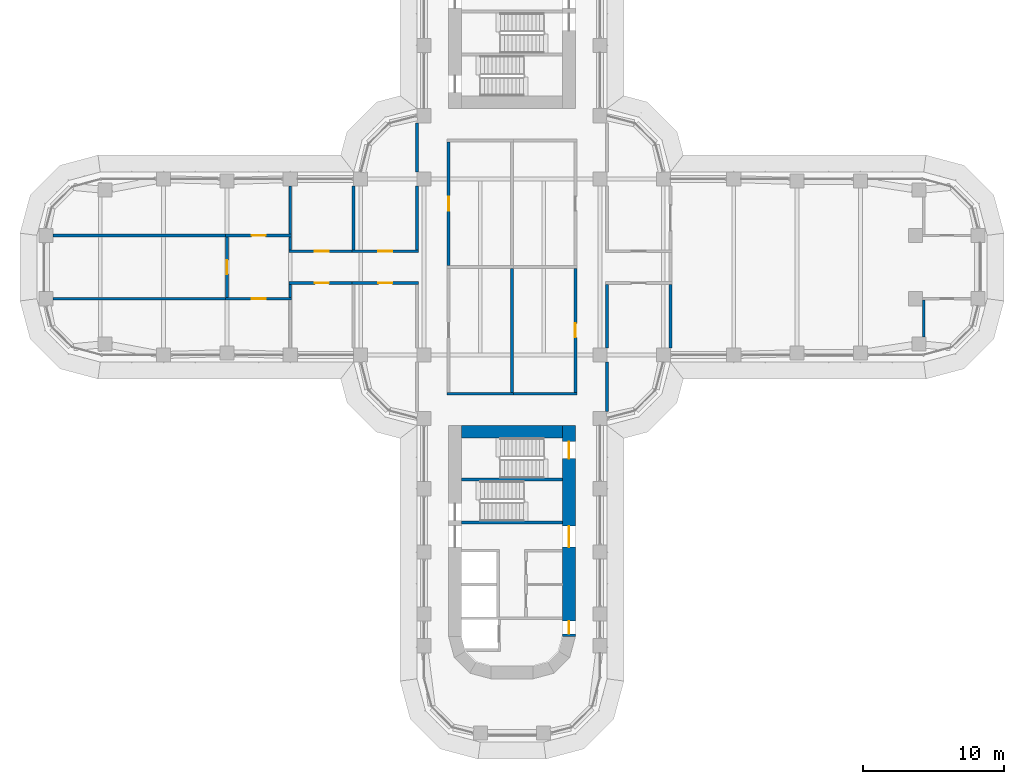
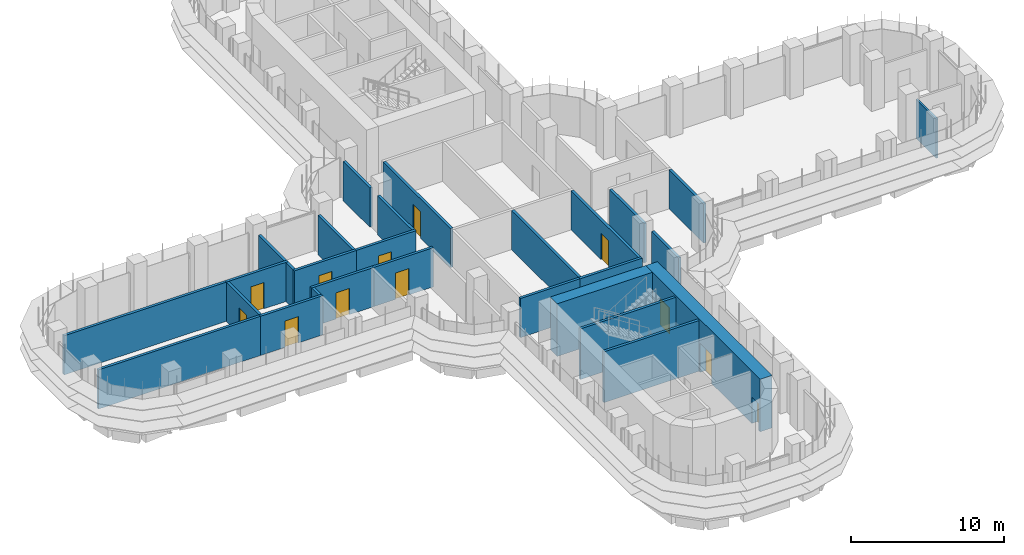
# One storey, part 17 of 23: 28 walls, 12 doors, 12 openings.
"""IFC4 building model written with IfcOpenShell, lengths in metres."""

from ifc_helpers import new_model, si_unit, direction, frame, frame_2d, origin, place, context, subcontext, project, spatial, rectangle, extrude, material, layer, layer_set, type_object, element, fill, save


model = new_model("IFC4")

# Units and contexts
model_context = context("Model", 3, precision=1e-05, world=origin(), true_north=direction((0.0, 1.0)))
body_context = subcontext(model_context, "Body", "Model", "MODEL_VIEW")
ifc_project = project(units=[si_unit("LENGTHUNIT", "METRE"), si_unit("AREAUNIT", "SQUARE_METRE"), si_unit("VOLUMEUNIT", "CUBIC_METRE"), si_unit("PLANEANGLEUNIT", "RADIAN"), si_unit("MASSUNIT", "GRAM", prefix="KILO")], contexts=[model_context])

# Site, building, storey
site_placement = place(None, origin())
site = spatial("IfcSite", under=ifc_project, at=site_placement, CompositionType="ELEMENT")
building_placement = place(site_placement, origin())
building = spatial("IfcBuilding", under=site, at=building_placement, Name="Zarbagh Exchange Tower", CompositionType="ELEMENT")
storey_placement = place(building_placement, frame((0.0, 0.0, 56.39990234375)))
storey = spatial("IfcBuildingStorey", under=building, at=storey_placement, Name="L12", CompositionType="ELEMENT", Elevation=56.39990234375)

# Wall
ifc_material_1 = material(Name="Plasterboard partition")
ifc_layer_1 = layer(ifc_material_1, 0.14990234375)
ifc_layer_set_1 = layer_set([ifc_layer_1], Name="PARTITION 150")
wall_type_1 = type_object("IfcWallType", Name="PARTITION 150", PredefinedType="PARTITIONING", material=ifc_layer_set_1)
wall_1_placement = place(storey_placement, frame((29.25, -4.97509765625, 0.0), z_axis=(0.0, 0.0, 1.0), x_axis=(0.0, 1.0, 0.0)))
element("IfcWall", 1, at=wall_1_placement, inside=storey, type_object=wall_type_1, Name="Partition W-429", PredefinedType="PARTITIONING", context=body_context, shape_type="SweptSolid", body=[
    extrude(rectangle(XDim=2.650146484375, YDim=0.14990234375, at=frame_2d((1.3251953125, 0.0))), origin(), (0.0, 0.0, 1.0), 3.130615234375),
])

# Wall, opening, door
ifc_material_2 = material(Name="Fire-rated plasterboard partition")
ifc_layer_2 = layer(ifc_material_2, 0.199951171875)
ifc_layer_set_2 = layer_set([ifc_layer_2], Name="RATED PARTITION 200")
wall_type_2 = type_object("IfcWallType", Name="RATED PARTITION 200", PredefinedType="PARTITIONING", material=ifc_layer_set_2)
wall_2_placement = place(storey_placement, frame((-4.5, 8.89990234375, 0.0), z_axis=(0.0, 0.0, 1.0), x_axis=(0.0, -1.0, 0.0)))
wall_2 = element("IfcWall", 2, at=wall_2_placement, inside=storey, type_object=wall_type_2, Name="Partition W-401", PredefinedType="PARTITIONING", context=body_context, shape_type="SweptSolid", body=[
    extrude(rectangle(XDim=8.7998046875, YDim=0.199951171875, at=frame_2d((4.39990234375, 0.0))), origin(), (0.0, 0.0, 1.0), 3.130615234375),
])
opening_1_placement = place(wall_2_placement, frame((3.89990234375, 0.0, 0.0)))
opening_1 = element("IfcOpeningElement", 3, at=opening_1_placement, cuts=wall_2, Name="Opening D-402", PredefinedType="OPENING", context=body_context, shape_type="SweptSolid", body=[
    extrude(rectangle(XDim=1.0, YDim=2.10009765625, at=frame_2d((0.5, 1.050048828125))), frame((0.0, 0.10986328125, 0.0), z_axis=(0.0, -1.0, 0.0), x_axis=(1.0, 0.0, 0.0)), (0.0, 0.0, 1.0), 0.219970703125),
])
ifc_material_3 = material(Name="Steel door set", Category="steel")
door_type_1 = type_object("IfcDoorType", Name="FIRE DOOR 1000 X 2100 FD30S", OperationType="NOTDEFINED", PredefinedType="DOOR", material=ifc_material_3)
door_1_placement = place(opening_1_placement, origin())
door_1 = element("IfcDoor", 4, at=door_1_placement, inside=storey, type_object=door_type_1, Name="Door D-402", OperationType="SINGLE_SWING_RIGHT", OverallHeight=2.10009765625, OverallWidth=1.0, PredefinedType="DOOR", context=body_context, shape_type="SweptSolid", body=[
    extrude(rectangle(XDim=1.0, YDim=2.10009765625, at=frame_2d((0.5, 1.050048828125))), frame((0.0, 0.02490234375, 0.0), z_axis=(0.0, -1.0, 0.0), x_axis=(1.0, 0.0, 0.0)), (0.0, 0.0, 1.0), 0.050048828125),
])
fill(opening_1, door_1)

# Walls
wall_3_placement = place(storey_placement, frame((-6.75, 1.22509765625, 0.0), z_axis=(0.0, 0.0, 1.0), x_axis=(0.0, 1.0, 0.0)))
element("IfcWall", 5, at=wall_3_placement, inside=storey, type_object=wall_type_2, Name="Partition W-403", PredefinedType="PARTITIONING", context=body_context, shape_type="SweptSolid", body=[
    extrude(rectangle(XDim=4.52490234375, YDim=0.199951171875, at=frame_2d((2.262451171875, 0.0))), origin(), (0.0, 0.0, 1.0), 3.130615234375),
])
wall_4_placement = place(storey_placement, frame((-6.75, 6.75, 0.0), z_axis=(0.0, 0.0, 1.0), x_axis=(0.0, 1.0, 0.0)))
element("IfcWall", 6, at=wall_4_placement, inside=storey, type_object=wall_type_2, Name="Partition W-404", PredefinedType="PARTITIONING", context=body_context, shape_type="SweptSolid", body=[
    extrude(rectangle(XDim=3.5, YDim=0.199951171875, at=frame_2d((1.75, 0.0))), origin(), (0.0, 0.0, 1.0), 3.130615234375),
])

# Wall, opening, door
wall_5_placement = place(storey_placement, frame((4.5, -8.89990234375, 0.0), z_axis=(0.0, 0.0, 1.0), x_axis=(0.0, 1.0, 0.0)))
wall_5 = element("IfcWall", 7, at=wall_5_placement, inside=storey, type_object=wall_type_2, Name="Partition W-408", PredefinedType="PARTITIONING", context=body_context, shape_type="SweptSolid", body=[
    extrude(rectangle(XDim=8.7998046875, YDim=0.199951171875, at=frame_2d((4.39990234375, 0.0))), origin(), (0.0, 0.0, 1.0), 3.130615234375),
])
opening_2_placement = place(wall_5_placement, frame((3.89990234375, 0.0, 0.0)))
opening_2 = element("IfcOpeningElement", 8, at=opening_2_placement, cuts=wall_5, Name="Opening D-403", PredefinedType="OPENING", context=body_context, shape_type="SweptSolid", body=[
    extrude(rectangle(XDim=1.0, YDim=2.10009765625, at=frame_2d((0.5, 1.050048828125))), frame((0.0, 0.10986328125, 0.0), z_axis=(0.0, -1.0, 0.0), x_axis=(1.0, 0.0, 0.0)), (0.0, 0.0, 1.0), 0.219970703125),
])
door_2_placement = place(opening_2_placement, origin())
door_2 = element("IfcDoor", 9, at=door_2_placement, inside=storey, type_object=door_type_1, Name="Door D-403", OperationType="SINGLE_SWING_RIGHT", OverallHeight=2.10009765625, OverallWidth=1.0, PredefinedType="DOOR", context=body_context, shape_type="SweptSolid", body=[
    extrude(rectangle(XDim=1.0, YDim=2.10009765625, at=frame_2d((0.5, 1.050048828125))), frame((0.0, 0.02490234375, 0.0), z_axis=(0.0, -1.0, 0.0), x_axis=(1.0, 0.0, 0.0)), (0.0, 0.0, 1.0), 0.050048828125),
])
fill(opening_2, door_2)

# Walls
wall_6_placement = place(storey_placement, frame((6.75, -10.25, 0.0), z_axis=(0.0, 0.0, 1.0), x_axis=(0.0, 1.0, 0.0)))
element("IfcWall", 10, at=wall_6_placement, inside=storey, type_object=wall_type_2, Name="Partition W-411", PredefinedType="PARTITIONING", context=body_context, shape_type="SweptSolid", body=[
    extrude(rectangle(XDim=3.5, YDim=0.199951171875, at=frame_2d((1.75, 0.0))), origin(), (0.0, 0.0, 1.0), 3.130615234375),
])
wall_7_placement = place(storey_placement, frame((6.75, -5.75, 0.0), z_axis=(0.0, 0.0, 1.0), x_axis=(0.0, 1.0, 0.0)))
element("IfcWall", 11, at=wall_7_placement, inside=storey, type_object=wall_type_2, Name="Partition W-412", PredefinedType="PARTITIONING", context=body_context, shape_type="SweptSolid", body=[
    extrude(rectangle(XDim=4.52490234375, YDim=0.199951171875, at=frame_2d((2.262451171875, 0.0))), origin(), (0.0, 0.0, 1.0), 3.130615234375),
])
for number, where, z_axis, x_axis, name in (
    (12, (-4.60009765625, -9.0, 0.0), (0.0, 0.0, 1.0), (1.0, 0.0, 0.0), "Partition W-415"),
    (13, (-0.10009765625, -9.0, 0.0), (0.0, 0.0, 1.0), (1.0, 0.0, 0.0), "Partition W-416"),
):
    element("IfcWall", number, at=place(storey_placement, frame(where, z_axis=z_axis, x_axis=x_axis)), inside=storey, type_object=wall_type_2, Name=name, PredefinedType="PARTITIONING", context=body_context, shape_type="SweptSolid", body=[
        extrude(rectangle(XDim=4.7001953125, YDim=0.199951171875, at=frame_2d((2.35009765625, 0.0))), origin(), (0.0, 0.0, 1.0), 3.130615234375),
    ])
wall_8_placement = place(storey_placement, frame((0.0, -8.89990234375, 0.0), z_axis=(0.0, 0.0, 1.0), x_axis=(0.0, 1.0, 0.0)))
element("IfcWall", 14, at=wall_8_placement, inside=storey, type_object=wall_type_2, Name="Partition W-420", PredefinedType="PARTITIONING", context=body_context, shape_type="SweptSolid", body=[
    extrude(rectangle(XDim=8.7998046875, YDim=0.199951171875, at=frame_2d((4.39990234375, 0.0))), origin(), (0.0, 0.0, 1.0), 3.130615234375),
])
wall_9_placement = place(storey_placement, frame((11.25, -5.75, 0.0), z_axis=(0.0, 0.0, 1.0), x_axis=(0.0, 1.0, 0.0)))
element("IfcWall", 15, at=wall_9_placement, inside=storey, type_object=wall_type_2, Name="Partition W-425", PredefinedType="PARTITIONING", context=body_context, shape_type="SweptSolid", body=[
    extrude(rectangle(XDim=4.52490234375, YDim=0.199951171875, at=frame_2d((2.262451171875, 0.0))), origin(), (0.0, 0.0, 1.0), 3.130615234375),
])

# Wall, opening, door
wall_10_placement = place(storey_placement, frame((-11.35009765625, 1.125, 0.0), z_axis=(0.0, 0.0, 1.0), x_axis=(1.0, 0.0, 0.0)))
wall_10 = element("IfcWall", 16, at=wall_10_placement, inside=storey, type_object=wall_type_2, Name="Partition W-430", PredefinedType="PARTITIONING", context=body_context, shape_type="SweptSolid", body=[
    extrude(rectangle(XDim=4.7001953125, YDim=0.199951171875, at=frame_2d((2.35009765625, 0.0))), origin(), (0.0, 0.0, 1.0), 3.130615234375),
])
opening_3_placement = place(wall_10_placement, frame((1.85009765625, 0.0, 0.0)))
opening_3 = element("IfcOpeningElement", 17, at=opening_3_placement, cuts=wall_10, Name="Opening D-412", PredefinedType="OPENING", context=body_context, shape_type="SweptSolid", body=[
    extrude(rectangle(XDim=1.0, YDim=2.10009765625, at=frame_2d((0.5, 1.050048828125))), frame((0.0, 0.10986328125, 0.0), z_axis=(0.0, -1.0, 0.0), x_axis=(1.0, 0.0, 0.0)), (0.0, 0.0, 1.0), 0.219970703125),
])
door_3_placement = place(opening_3_placement, origin())
door_3 = element("IfcDoor", 18, at=door_3_placement, inside=storey, type_object=door_type_1, Name="Door D-412", OperationType="SINGLE_SWING_RIGHT", OverallHeight=2.10009765625, OverallWidth=1.0, PredefinedType="DOOR", context=body_context, shape_type="SweptSolid", body=[
    extrude(rectangle(XDim=1.0, YDim=2.10009765625, at=frame_2d((0.5, 1.050048828125))), frame((0.0, 0.02490234375, 0.0), z_axis=(0.0, -1.0, 0.0), x_axis=(1.0, 0.0, 0.0)), (0.0, 0.0, 1.0), 0.050048828125),
])
fill(opening_3, door_3)

wall_11_placement = place(storey_placement, frame((-6.64990234375, -1.125, 0.0), z_axis=(0.0, 0.0, 1.0), x_axis=(-1.0, 0.0, 0.0)))
wall_11 = element("IfcWall", 19, at=wall_11_placement, inside=storey, type_object=wall_type_2, Name="Partition W-431", PredefinedType="PARTITIONING", context=body_context, shape_type="SweptSolid", body=[
    extrude(rectangle(XDim=4.7001953125, YDim=0.199951171875, at=frame_2d((2.35009765625, 0.0))), origin(), (0.0, 0.0, 1.0), 3.130615234375),
])
opening_4_placement = place(wall_11_placement, frame((1.85009765625, 0.0, 0.0)))
opening_4 = element("IfcOpeningElement", 20, at=opening_4_placement, cuts=wall_11, Name="Opening D-415", PredefinedType="OPENING", context=body_context, shape_type="SweptSolid", body=[
    extrude(rectangle(XDim=1.0, YDim=2.10009765625, at=frame_2d((0.5, 1.050048828125))), frame((0.0, 0.10986328125, 0.0), z_axis=(0.0, -1.0, 0.0), x_axis=(1.0, 0.0, 0.0)), (0.0, 0.0, 1.0), 0.219970703125),
])
door_4_placement = place(opening_4_placement, origin())
door_4 = element("IfcDoor", 21, at=door_4_placement, inside=storey, type_object=door_type_1, Name="Door D-415", OperationType="SINGLE_SWING_RIGHT", OverallHeight=2.10009765625, OverallWidth=1.0, PredefinedType="DOOR", context=body_context, shape_type="SweptSolid", body=[
    extrude(rectangle(XDim=1.0, YDim=2.10009765625, at=frame_2d((0.5, 1.050048828125))), frame((0.0, 0.02490234375, 0.0), z_axis=(0.0, -1.0, 0.0), x_axis=(1.0, 0.0, 0.0)), (0.0, 0.0, 1.0), 0.050048828125),
])
fill(opening_4, door_4)

wall_12_placement = place(storey_placement, frame((-15.85009765625, 1.125, 0.0), z_axis=(0.0, 0.0, 1.0), x_axis=(1.0, 0.0, 0.0)))
wall_12 = element("IfcWall", 22, at=wall_12_placement, inside=storey, type_object=wall_type_2, Name="Partition W-432", PredefinedType="PARTITIONING", context=body_context, shape_type="SweptSolid", body=[
    extrude(rectangle(XDim=4.7001953125, YDim=0.199951171875, at=frame_2d((2.35009765625, 0.0))), origin(), (0.0, 0.0, 1.0), 3.130615234375),
])
opening_5_placement = place(wall_12_placement, frame((1.85009765625, 0.0, 0.0)))
opening_5 = element("IfcOpeningElement", 23, at=opening_5_placement, cuts=wall_12, Name="Opening D-413", PredefinedType="OPENING", context=body_context, shape_type="SweptSolid", body=[
    extrude(rectangle(XDim=1.0, YDim=2.10009765625, at=frame_2d((0.5, 1.050048828125))), frame((0.0, 0.10986328125, 0.0), z_axis=(0.0, -1.0, 0.0), x_axis=(1.0, 0.0, 0.0)), (0.0, 0.0, 1.0), 0.219970703125),
])
door_5_placement = place(opening_5_placement, origin())
door_5 = element("IfcDoor", 24, at=door_5_placement, inside=storey, type_object=door_type_1, Name="Door D-413", OperationType="SINGLE_SWING_RIGHT", OverallHeight=2.10009765625, OverallWidth=1.0, PredefinedType="DOOR", context=body_context, shape_type="SweptSolid", body=[
    extrude(rectangle(XDim=1.0, YDim=2.10009765625, at=frame_2d((0.5, 1.050048828125))), frame((0.0, 0.02490234375, 0.0), z_axis=(0.0, -1.0, 0.0), x_axis=(1.0, 0.0, 0.0)), (0.0, 0.0, 1.0), 0.050048828125),
])
fill(opening_5, door_5)

wall_13_placement = place(storey_placement, frame((-11.14990234375, -1.125, 0.0), z_axis=(0.0, 0.0, 1.0), x_axis=(-1.0, 0.0, 0.0)))
wall_13 = element("IfcWall", 25, at=wall_13_placement, inside=storey, type_object=wall_type_2, Name="Partition W-433", PredefinedType="PARTITIONING", context=body_context, shape_type="SweptSolid", body=[
    extrude(rectangle(XDim=4.7001953125, YDim=0.199951171875, at=frame_2d((2.35009765625, 0.0))), origin(), (0.0, 0.0, 1.0), 3.130615234375),
])
opening_6_placement = place(wall_13_placement, frame((1.85009765625, 0.0, 0.0)))
opening_6 = element("IfcOpeningElement", 26, at=opening_6_placement, cuts=wall_13, Name="Opening D-416", PredefinedType="OPENING", context=body_context, shape_type="SweptSolid", body=[
    extrude(rectangle(XDim=1.0, YDim=2.10009765625, at=frame_2d((0.5, 1.050048828125))), frame((0.0, 0.10986328125, 0.0), z_axis=(0.0, -1.0, 0.0), x_axis=(1.0, 0.0, 0.0)), (0.0, 0.0, 1.0), 0.219970703125),
])
door_6_placement = place(opening_6_placement, origin())
door_6 = element("IfcDoor", 27, at=door_6_placement, inside=storey, type_object=door_type_1, Name="Door D-416", OperationType="SINGLE_SWING_RIGHT", OverallHeight=2.10009765625, OverallWidth=1.0, PredefinedType="DOOR", context=body_context, shape_type="SweptSolid", body=[
    extrude(rectangle(XDim=1.0, YDim=2.10009765625, at=frame_2d((0.5, 1.050048828125))), frame((0.0, 0.02490234375, 0.0), z_axis=(0.0, -1.0, 0.0), x_axis=(1.0, 0.0, 0.0)), (0.0, 0.0, 1.0), 0.050048828125),
])
fill(opening_6, door_6)

# Walls
wall_14_placement = place(storey_placement, frame((-11.25, 1.22509765625, 0.0), z_axis=(0.0, 0.0, 1.0), x_axis=(0.0, 1.0, 0.0)))
element("IfcWall", 28, at=wall_14_placement, inside=storey, type_object=wall_type_2, Name="Partition W-434", PredefinedType="PARTITIONING", context=body_context, shape_type="SweptSolid", body=[
    extrude(rectangle(XDim=4.52490234375, YDim=0.199951171875, at=frame_2d((2.262451171875, 0.0))), origin(), (0.0, 0.0, 1.0), 3.130615234375),
])
wall_15_placement = place(storey_placement, frame((-15.75, 1.22509765625, 0.0), z_axis=(0.0, 0.0, 1.0), x_axis=(0.0, 1.0, 0.0)))
element("IfcWall", 29, at=wall_15_placement, inside=storey, type_object=wall_type_2, Name="Partition W-436", PredefinedType="PARTITIONING", context=body_context, shape_type="SweptSolid", body=[
    extrude(rectangle(XDim=0.9248046875, YDim=0.199951171875, at=frame_2d((0.46240234375, 0.0))), origin(), (0.0, 0.0, 1.0), 3.130615234375),
])
wall_16_placement = place(storey_placement, frame((-15.75, 2.35009765625, 0.0), z_axis=(0.0, 0.0, 1.0), x_axis=(0.0, 1.0, 0.0)))
element("IfcWall", 30, at=wall_16_placement, inside=storey, type_object=wall_type_2, Name="Partition W-437", PredefinedType="PARTITIONING", context=body_context, shape_type="SweptSolid", body=[
    extrude(rectangle(XDim=3.39990234375, YDim=0.199951171875, at=frame_2d((1.699951171875, 0.0))), origin(), (0.0, 0.0, 1.0), 3.130615234375),
])
wall_17_placement = place(storey_placement, frame((-15.75, -2.14990234375, 0.0), z_axis=(0.0, 0.0, 1.0), x_axis=(0.0, 1.0, 0.0)))
element("IfcWall", 31, at=wall_17_placement, inside=storey, type_object=wall_type_2, Name="Partition W-438", PredefinedType="PARTITIONING", context=body_context, shape_type="SweptSolid", body=[
    extrude(rectangle(XDim=0.9248046875, YDim=0.199951171875, at=frame_2d((0.46240234375, 0.0))), origin(), (0.0, 0.0, 1.0), 3.130615234375),
])

# Wall, opening, door
wall_18_placement = place(storey_placement, frame((-20.35009765625, 2.25, 0.0), z_axis=(0.0, 0.0, 1.0), x_axis=(1.0, 0.0, 0.0)))
wall_18 = element("IfcWall", 32, at=wall_18_placement, inside=storey, type_object=wall_type_2, Name="Partition W-440", PredefinedType="PARTITIONING", context=body_context, shape_type="SweptSolid", body=[
    extrude(rectangle(XDim=4.7001953125, YDim=0.199951171875, at=frame_2d((2.35009765625, 0.0))), origin(), (0.0, 0.0, 1.0), 3.130615234375),
])
opening_7_placement = place(wall_18_placement, frame((1.85009765625, 0.0, 0.0)))
opening_7 = element("IfcOpeningElement", 33, at=opening_7_placement, cuts=wall_18, Name="Opening D-411", PredefinedType="OPENING", context=body_context, shape_type="SweptSolid", body=[
    extrude(rectangle(XDim=1.0, YDim=2.10009765625, at=frame_2d((0.5, 1.050048828125))), frame((0.0, 0.10986328125, 0.0), z_axis=(0.0, -1.0, 0.0), x_axis=(1.0, 0.0, 0.0)), (0.0, 0.0, 1.0), 0.219970703125),
])
door_7_placement = place(opening_7_placement, origin())
door_7 = element("IfcDoor", 34, at=door_7_placement, inside=storey, type_object=door_type_1, Name="Door D-411", OperationType="SINGLE_SWING_RIGHT", OverallHeight=2.10009765625, OverallWidth=1.0, PredefinedType="DOOR", context=body_context, shape_type="SweptSolid", body=[
    extrude(rectangle(XDim=1.0, YDim=2.10009765625, at=frame_2d((0.5, 1.050048828125))), frame((0.0, 0.02490234375, 0.0), z_axis=(0.0, -1.0, 0.0), x_axis=(1.0, 0.0, 0.0)), (0.0, 0.0, 1.0), 0.050048828125),
])
fill(opening_7, door_7)

wall_19_placement = place(storey_placement, frame((-15.64990234375, -2.25, 0.0), z_axis=(0.0, 0.0, 1.0), x_axis=(-1.0, 0.0, 0.0)))
wall_19 = element("IfcWall", 35, at=wall_19_placement, inside=storey, type_object=wall_type_2, Name="Partition W-441", PredefinedType="PARTITIONING", context=body_context, shape_type="SweptSolid", body=[
    extrude(rectangle(XDim=4.7001953125, YDim=0.199951171875, at=frame_2d((2.35009765625, 0.0))), origin(), (0.0, 0.0, 1.0), 3.130615234375),
])
opening_8_placement = place(wall_19_placement, frame((1.85009765625, 0.0, 0.0)))
opening_8 = element("IfcOpeningElement", 36, at=opening_8_placement, cuts=wall_19, Name="Opening D-414", PredefinedType="OPENING", context=body_context, shape_type="SweptSolid", body=[
    extrude(rectangle(XDim=1.0, YDim=2.10009765625, at=frame_2d((0.5, 1.050048828125))), frame((0.0, 0.10986328125, 0.0), z_axis=(0.0, -1.0, 0.0), x_axis=(1.0, 0.0, 0.0)), (0.0, 0.0, 1.0), 0.219970703125),
])
door_8_placement = place(opening_8_placement, origin())
door_8 = element("IfcDoor", 37, at=door_8_placement, inside=storey, type_object=door_type_1, Name="Door D-414", OperationType="SINGLE_SWING_LEFT", OverallHeight=2.10009765625, OverallWidth=1.0, PredefinedType="DOOR", context=body_context, shape_type="SweptSolid", body=[
    extrude(rectangle(XDim=1.0, YDim=2.10009765625, at=frame_2d((0.5, 1.050048828125))), frame((0.0, 0.02490234375, 0.0), z_axis=(0.0, -1.0, 0.0), x_axis=(1.0, 0.0, 0.0)), (0.0, 0.0, 1.0), 0.050048828125),
])
fill(opening_8, door_8)

wall_20_placement = place(storey_placement, frame((-20.25, -2.14990234375, 0.0), z_axis=(0.0, 0.0, 1.0), x_axis=(0.0, 1.0, 0.0)))
wall_20 = element("IfcWall", 38, at=wall_20_placement, inside=storey, type_object=wall_type_2, Name="Partition W-442", PredefinedType="PARTITIONING", context=body_context, shape_type="SweptSolid", body=[
    extrude(rectangle(XDim=4.2998046875, YDim=0.199951171875, at=frame_2d((2.14990234375, 0.0))), origin(), (0.0, 0.0, 1.0), 3.130615234375),
])
opening_9_placement = place(wall_20_placement, frame((1.64990234375, 0.0, 0.0)))
opening_9 = element("IfcOpeningElement", 39, at=opening_9_placement, cuts=wall_20, Name="Opening D-410", PredefinedType="OPENING", context=body_context, shape_type="SweptSolid", body=[
    extrude(rectangle(XDim=1.0, YDim=2.10009765625, at=frame_2d((0.5, 1.050048828125))), frame((0.0, 0.10986328125, 0.0), z_axis=(0.0, -1.0, 0.0), x_axis=(1.0, 0.0, 0.0)), (0.0, 0.0, 1.0), 0.219970703125),
])
door_9_placement = place(opening_9_placement, origin())
door_9 = element("IfcDoor", 40, at=door_9_placement, inside=storey, type_object=door_type_1, Name="Door D-410", OperationType="SINGLE_SWING_RIGHT", OverallHeight=2.10009765625, OverallWidth=1.0, PredefinedType="DOOR", context=body_context, shape_type="SweptSolid", body=[
    extrude(rectangle(XDim=1.0, YDim=2.10009765625, at=frame_2d((0.5, 1.050048828125))), frame((0.0, 0.02490234375, 0.0), z_axis=(0.0, -1.0, 0.0), x_axis=(1.0, 0.0, 0.0)), (0.0, 0.0, 1.0), 0.050048828125),
])
fill(opening_9, door_9)

# Walls
for number, where, z_axis, x_axis, name in (
    (41, (-32.610107421875, 2.25, 0.0), (0.0, 0.0, 1.0), (1.0, 0.0, 0.0), "Partition W-443"),
    (42, (-32.610107421875, -2.25, 0.0), (0.0, 0.0, 1.0), (1.0, 0.0, 0.0), "Partition W-444"),
):
    element("IfcWall", number, at=place(storey_placement, frame(where, z_axis=z_axis, x_axis=x_axis)), inside=storey, type_object=wall_type_2, Name=name, PredefinedType="PARTITIONING", context=body_context, shape_type="SweptSolid", body=[
        extrude(rectangle(XDim=12.460205078125, YDim=0.199951171875, at=frame_2d((6.22998046875, 0.0))), origin(), (0.0, 0.0, 1.0), 3.130615234375),
    ])

# Wall, openings, doors
ifc_material_4 = material(Name="Concrete C60/75", Category="concrete")
ifc_layer_3 = layer(ifc_material_4, 0.89990234375)
ifc_layer_set_3 = layer_set([ifc_layer_3], Name="RC core wall 900 C60/75")
wall_type_3 = type_object("IfcWallType", Name="RC core wall 900 C60/75", PredefinedType="SHEAR", material=ifc_layer_set_3)
wall_21_placement = place(storey_placement, frame((4.050048828125, -11.25, 0.0), z_axis=(0.0, 0.0, 1.0), x_axis=(0.0, -1.0, 0.0)))
wall_21 = element("IfcWall", 43, at=wall_21_placement, inside=storey, type_object=wall_type_3, Name="CW1 core S E", PredefinedType="SHEAR", context=body_context, shape_type="SweptSolid", body=[
    extrude(rectangle(XDim=15.0, YDim=0.89990234375, at=frame_2d((7.5, 0.0))), origin(), (0.0, 0.0, 1.0), 4.2001953125),
])
opening_10_placement = place(wall_21_placement, frame((7.14990234375, 0.0, 0.0)))
opening_10 = element("IfcOpeningElement", 44, at=opening_10_placement, cuts=wall_21, Name="Opening CD1-1500", PredefinedType="OPENING", context=body_context, shape_type="SweptSolid", body=[
    extrude(rectangle(XDim=1.5, YDim=2.300048828125, at=frame_2d((0.75, 1.14990234375))), frame((0.0, 0.4599609375, 0.0), z_axis=(0.0, -1.0, 0.0), x_axis=(1.0, 0.0, 0.0)), (0.0, 0.0, 1.0), 0.919921875),
])
opening_11_placement = place(wall_21_placement, frame((13.89990234375, 0.0, 0.0)))
opening_11 = element("IfcOpeningElement", 45, at=opening_11_placement, cuts=wall_21, Name="Opening CD2-900", PredefinedType="OPENING", context=body_context, shape_type="SweptSolid", body=[
    extrude(rectangle(XDim=0.89990234375, YDim=2.10009765625, at=frame_2d((0.449951171875, 1.050048828125))), frame((0.0, 0.4599609375, 0.0), z_axis=(0.0, -1.0, 0.0), x_axis=(1.0, 0.0, 0.0)), (0.0, 0.0, 1.0), 0.919921875),
])
opening_12_placement = place(wall_21_placement, frame((1.14990234375, 0.0, 0.0)))
opening_12 = element("IfcOpeningElement", 46, at=opening_12_placement, cuts=wall_21, Name="Opening SD1-1200", PredefinedType="OPENING", context=body_context, shape_type="SweptSolid", body=[
    extrude(rectangle(XDim=1.199951171875, YDim=2.10009765625, at=frame_2d((0.60009765625, 1.050048828125))), frame((0.0, 0.4599609375, 0.0), z_axis=(0.0, -1.0, 0.0), x_axis=(1.0, 0.0, 0.0)), (0.0, 0.0, 1.0), 0.919921875),
])
ifc_material_5 = material(Name="Steel", Category="steel")
door_type_2 = type_object("IfcDoorType", Name="Exit stair door 1200 x 2100", OperationType="NOTDEFINED", PredefinedType="DOOR", material=ifc_material_5)
door_10_placement = place(opening_12_placement, origin())
door_10 = element("IfcDoor", 47, at=door_10_placement, inside=storey, type_object=door_type_2, Name="South core stair door ST2", OperationType="SINGLE_SWING_LEFT", OverallHeight=2.10009765625, OverallWidth=1.199951171875, PredefinedType="DOOR", context=body_context, shape_type="SweptSolid", body=[
    extrude(rectangle(XDim=1.199951171875, YDim=2.10009765625, at=frame_2d((0.60009765625, 1.050048828125))), frame((0.0, 0.02490234375, 0.0), z_axis=(0.0, -1.0, 0.0), x_axis=(1.0, 0.0, 0.0)), (0.0, 0.0, 1.0), 0.050048828125),
])
fill(opening_12, door_10)
door_type_3 = type_object("IfcDoorType", Name="Firefighting lobby door 900 x 2100", OperationType="NOTDEFINED", PredefinedType="DOOR", material=ifc_material_5)
door_11_placement = place(opening_11_placement, origin())
door_11 = element("IfcDoor", 48, at=door_11_placement, inside=storey, type_object=door_type_3, Name="South core firefighting lobby door FF-W", OperationType="SINGLE_SWING_RIGHT", OverallHeight=2.10009765625, OverallWidth=0.89990234375, PredefinedType="DOOR", context=body_context, shape_type="SweptSolid", body=[
    extrude(rectangle(XDim=0.89990234375, YDim=2.10009765625, at=frame_2d((0.449951171875, 1.050048828125))), frame((0.0, 0.02490234375, 0.0), z_axis=(0.0, -1.0, 0.0), x_axis=(1.0, 0.0, 0.0)), (0.0, 0.0, 1.0), 0.050048828125),
])
fill(opening_11, door_11)
door_type_4 = type_object("IfcDoorType", Name="Lift lobby double door 1500 x 2300", OperationType="NOTDEFINED", PredefinedType="DOOR", material=ifc_material_5)
door_12_placement = place(opening_10_placement, origin())
door_12 = element("IfcDoor", 49, at=door_12_placement, inside=storey, type_object=door_type_4, Name="South core lift lobby door LOBBY-W", OperationType="DOUBLE_DOOR_SINGLE_SWING", OverallHeight=2.300048828125, OverallWidth=1.5, PredefinedType="DOOR", context=body_context, shape_type="SweptSolid", body=[
    extrude(rectangle(XDim=1.5, YDim=2.300048828125, at=frame_2d((0.75, 1.14990234375))), frame((0.0, 0.02490234375, 0.0), z_axis=(0.0, -1.0, 0.0), x_axis=(1.0, 0.0, 0.0)), (0.0, 0.0, 1.0), 0.050048828125),
])
fill(opening_10, door_12)

# Walls
wall_22_placement = place(storey_placement, frame((-3.60009765625, -11.699951171875, 0.0), z_axis=(0.0, 0.0, 1.0), x_axis=(1.0, 0.0, 0.0)))
element("IfcWall", 50, at=wall_22_placement, inside=storey, type_object=wall_type_3, Name="CW1 core S inner end", PredefinedType="SHEAR", context=body_context, shape_type="SweptSolid", body=[
    extrude(rectangle(XDim=7.2001953125, YDim=0.89990234375, at=frame_2d((3.60009765625, 0.0))), origin(), (0.0, 0.0, 1.0), 4.2001953125),
])
ifc_material_6 = material(Name="Concrete C40/50", Category="concrete")
ifc_layer_4 = layer(ifc_material_6, 0.199951171875)
ifc_layer_set_4 = layer_set([ifc_layer_4], Name="Stair enclosure wall 200 mm RC C40/50")
wall_type_4 = type_object("IfcWallType", Name="Stair enclosure wall 200 mm RC C40/50", PredefinedType="SHEAR", material=ifc_layer_set_4)
for number, where, z_axis, x_axis, name in (
    (51, (3.60009765625, -18.14990234375, 0.0), (0.0, 0.0, 1.0), (-1.0, 0.0, 0.0), "South core stair wall BS"),
    (52, (3.60009765625, -15.10009765625, 0.0), (0.0, 0.0, 1.0), (-1.0, 0.0, 0.0), "South core stair wall ST12"),
):
    element("IfcWall", number, at=place(storey_placement, frame(where, z_axis=z_axis, x_axis=x_axis)), inside=storey, type_object=wall_type_4, Name=name, PredefinedType="SHEAR", context=body_context, shape_type="SweptSolid", body=[
        extrude(rectangle(XDim=7.2001953125, YDim=0.199951171875, at=frame_2d((3.60009765625, 0.0))), origin(), (0.0, 0.0, 1.0), 4.050048828125),
    ])

save(model, "model.ifc")
